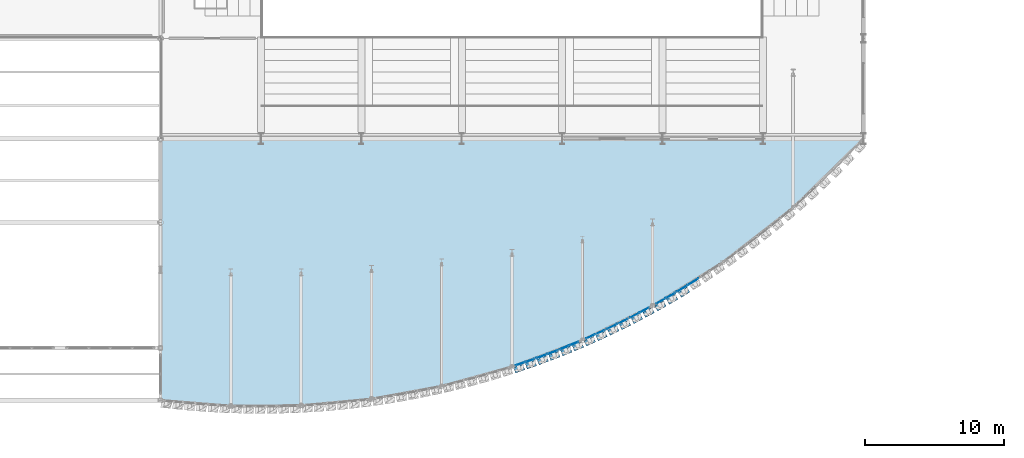
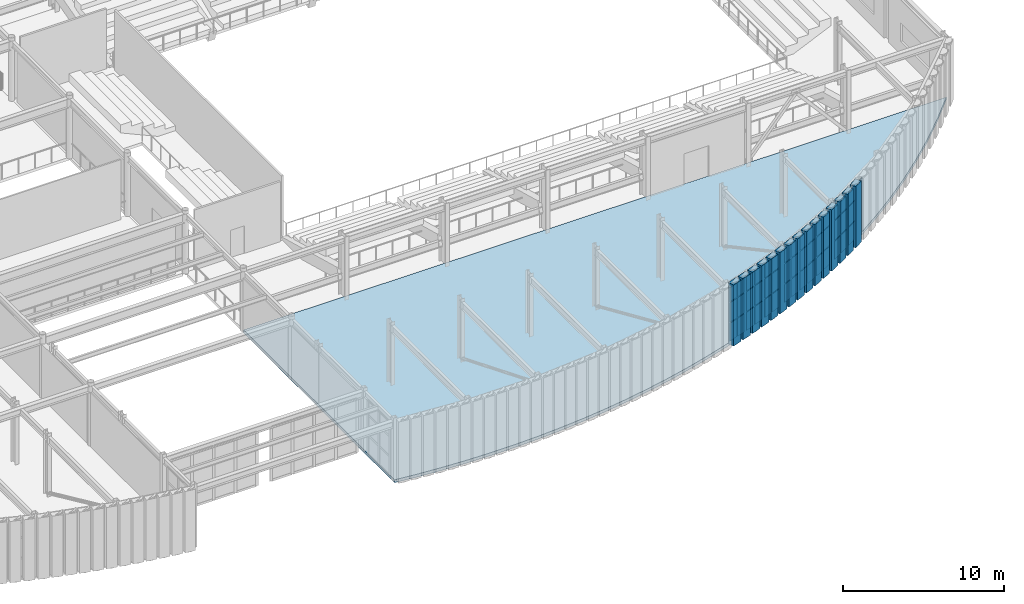
# One storey, part 85 of 121: 63 plates, 1 slab, 8 elements without a shape of their own.
"""IFC4 building model written with IfcOpenShell, lengths in metres."""

from ifc_helpers import new_model, si_unit, direction, frame, origin, origin_2d, place, context, subcontext, project, spatial, polyline, rectangle, outline, extrude, material, layer, layer_set, type_object, element, aggregate, save


model = new_model("IFC4")

# Units and contexts
model_context = context("Model", 3, precision=1e-05, world=origin(), true_north=direction((0.0, 1.0)))
body_context = subcontext(model_context, "Body", "Model", "MODEL_VIEW")
ifc_project = project(units=[si_unit("LENGTHUNIT", "METRE"), si_unit("AREAUNIT", "SQUARE_METRE"), si_unit("VOLUMEUNIT", "CUBIC_METRE"), si_unit("PLANEANGLEUNIT", "RADIAN"), si_unit("MASSUNIT", "GRAM", prefix="KILO")], contexts=[model_context])

# Site, building, storey
site_placement = place(None, origin())
site = spatial("IfcSite", under=ifc_project, at=site_placement, CompositionType="ELEMENT")
building_placement = place(site_placement, origin())
building = spatial("IfcBuilding", under=site, at=building_placement, Name="Solvadek Multi-Sports Hall", CompositionType="ELEMENT")
storey_placement = place(building_placement, frame((0.0, 0.0, 4.800048828125)))
storey = spatial("IfcBuildingStorey", under=building, at=storey_placement, Name="L01", CompositionType="ELEMENT", Elevation=4.800048828125)

# Curtain wall, plates
ifc_material_1 = material(Name="Anodised aluminium", Category="aluminium")
ifc_layer_1 = layer(ifc_material_1, 0.159912109375, Name="Anodised aluminium")
ifc_layer_set_1 = layer_set([ifc_layer_1], Name="Anodised aluminium")
curtain_wall_type_1 = type_object("IfcCurtainWallType", Name="ENV-CW-157X420", PredefinedType="USERDEFINED", material=ifc_layer_set_1)
curtain_wall_1_placement = place(storey_placement, origin())
curtain_wall_1 = element("IfcCurtainWall", 1, at=curtain_wall_1_placement, inside=storey, type_object=curtain_wall_type_1, Name="L01 Crescent Curved Curtain Wall #91", ObjectType="CURTAIN WALL", PredefinedType="USERDEFINED")
ifc_material_2 = material(Name="Tempered laminated low-E glass", Category="glass")
ifc_layer_2 = layer(ifc_material_2, 0.02392578125, Name="Tempered laminated low-E glass")
ifc_layer_set_2 = layer_set([ifc_layer_2], Name="Tempered laminated low-E glass")
plate_type_1 = type_object("IfcPlateType", Name="ENV-CWP-01", PredefinedType="CURTAIN_PANEL", material=ifc_layer_set_2)
plate_1_placement = place(storey_placement, frame((117.232177734375, -8.1787109375, 0.06494140625), z_axis=(0.0, 0.0, 1.0), x_axis=(0.911913174114, 0.410383190297, 0.0)))
plate_1 = element("IfcPlate", 2, at=plate_1_placement, type_object=plate_type_1, Name="CW-17 panel 1.1", PredefinedType="CURTAIN_PANEL", context=body_context, shape_type="SweptSolid", body=[
    extrude(rectangle(XDim=0.6884765625, YDim=0.02392578125, at=origin_2d()), origin(), (0.0, 0.0, 1.0), 1.37255859375),
])
plate_2_placement = place(storey_placement, frame((117.232177734375, -8.1787109375, 1.50244140625), z_axis=(0.0, 0.0, 1.0), x_axis=(0.911913174114, 0.410383190297, 0.0)))
plate_2 = element("IfcPlate", 3, at=plate_2_placement, type_object=plate_type_1, Name="CW-17 panel 1.2", PredefinedType="CURTAIN_PANEL", context=body_context, shape_type="SweptSolid", body=[
    extrude(rectangle(XDim=0.6884765625, YDim=0.02392578125, at=origin_2d()), origin(), (0.0, 0.0, 1.0), 1.489013671875),
])
plate_3_placement = place(storey_placement, frame((117.232177734375, -8.1787109375, 3.056396484375), z_axis=(0.0, 0.0, 1.0), x_axis=(0.911913174114, 0.410383190297, 0.0)))
plate_3 = element("IfcPlate", 4, at=plate_3_placement, type_object=plate_type_1, Name="CW-17 panel 1.3", PredefinedType="CURTAIN_PANEL", context=body_context, shape_type="SweptSolid", body=[
    extrude(rectangle(XDim=0.6884765625, YDim=0.02392578125, at=origin_2d()), origin(), (0.0, 0.0, 1.0), 1.07861328125),
])
plate_4_placement = place(storey_placement, frame((117.91943359375, -7.86962890625, 0.06494140625), z_axis=(0.0, 0.0, 1.0), x_axis=(0.911913174114, 0.410383190297, 0.0)))
plate_4 = element("IfcPlate", 5, at=plate_4_placement, type_object=plate_type_1, Name="CW-17 panel 2.1", PredefinedType="CURTAIN_PANEL", context=body_context, shape_type="SweptSolid", body=[
    extrude(rectangle(XDim=0.6884765625, YDim=0.02392578125, at=origin_2d()), origin(), (0.0, 0.0, 1.0), 1.37255859375),
])
plate_5_placement = place(storey_placement, frame((117.91943359375, -7.86962890625, 1.50244140625), z_axis=(0.0, 0.0, 1.0), x_axis=(0.911913174114, 0.410383190297, 0.0)))
plate_5 = element("IfcPlate", 6, at=plate_5_placement, type_object=plate_type_1, Name="CW-17 panel 2.2", PredefinedType="CURTAIN_PANEL", context=body_context, shape_type="SweptSolid", body=[
    extrude(rectangle(XDim=0.6884765625, YDim=0.02392578125, at=origin_2d()), origin(), (0.0, 0.0, 1.0), 1.489013671875),
])
plate_6_placement = place(storey_placement, frame((117.91943359375, -7.86962890625, 3.056396484375), z_axis=(0.0, 0.0, 1.0), x_axis=(0.911913174114, 0.410383190297, 0.0)))
plate_6 = element("IfcPlate", 7, at=plate_6_placement, type_object=plate_type_1, Name="CW-17 panel 2.3", PredefinedType="CURTAIN_PANEL", context=body_context, shape_type="SweptSolid", body=[
    extrude(rectangle(XDim=0.6884765625, YDim=0.02392578125, at=origin_2d()), origin(), (0.0, 0.0, 1.0), 1.07861328125),
])
aggregate(curtain_wall_1, [plate_1, plate_2, plate_3, plate_4, plate_5, plate_6])

ifc_layer_3 = layer(ifc_material_1, 0.159912109375, Name="Anodised aluminium")
ifc_layer_set_3 = layer_set([ifc_layer_3], Name="Anodised aluminium")
curtain_wall_type_2 = type_object("IfcCurtainWallType", Name="ENV-CW-181X420", PredefinedType="USERDEFINED", material=ifc_layer_set_3)
curtain_wall_2_placement = place(storey_placement, origin())
curtain_wall_2 = element("IfcCurtainWall", 8, at=curtain_wall_2_placement, inside=storey, type_object=curtain_wall_type_2, Name="L01 Crescent Curved Curtain Wall #93", ObjectType="CURTAIN WALL", PredefinedType="USERDEFINED")
ifc_layer_4 = layer(ifc_material_2, 0.028076171875, Name="Tempered laminated low-E glass")
ifc_layer_set_4 = layer_set([ifc_layer_4], Name="Tempered laminated low-E glass")
plate_type_2 = type_object("IfcPlateType", Name="ENV-CWP-02", PredefinedType="CURTAIN_PANEL", material=ifc_layer_set_4)
plate_7_placement = place(storey_placement, frame((118.769287109375, -7.4697265625, 0.06494140625), z_axis=(0.0, 0.0, 1.0), x_axis=(0.898369826672, 0.439239859901, 0.0)))
plate_7 = element("IfcPlate", 9, at=plate_7_placement, type_object=plate_type_2, Name="CW-16 panel 1.1", PredefinedType="CURTAIN_PANEL", context=body_context, shape_type="SweptSolid", body=[
    extrude(rectangle(XDim=0.800048828125, YDim=0.028076171875, at=origin_2d()), origin(), (0.0, 0.0, 1.0), 1.37255859375),
])
plate_8_placement = place(storey_placement, frame((118.769287109375, -7.4697265625, 1.50244140625), z_axis=(0.0, 0.0, 1.0), x_axis=(0.898369826672, 0.439239859901, 0.0)))
plate_8 = element("IfcPlate", 10, at=plate_8_placement, type_object=plate_type_2, Name="CW-16 panel 1.2", PredefinedType="CURTAIN_PANEL", context=body_context, shape_type="SweptSolid", body=[
    extrude(rectangle(XDim=0.800048828125, YDim=0.028076171875, at=origin_2d()), origin(), (0.0, 0.0, 1.0), 1.489013671875),
])
plate_9_placement = place(storey_placement, frame((118.769287109375, -7.4697265625, 3.056396484375), z_axis=(0.0, 0.0, 1.0), x_axis=(0.898369826672, 0.439239859901, 0.0)))
plate_9 = element("IfcPlate", 11, at=plate_9_placement, type_object=plate_type_2, Name="CW-16 panel 1.3", PredefinedType="CURTAIN_PANEL", context=body_context, shape_type="SweptSolid", body=[
    extrude(rectangle(XDim=0.800048828125, YDim=0.028076171875, at=origin_2d()), origin(), (0.0, 0.0, 1.0), 1.07861328125),
])
plate_10_placement = place(storey_placement, frame((119.55078125, -7.087646484375, 0.06494140625), z_axis=(0.0, 0.0, 1.0), x_axis=(0.898369826672, 0.439239859901, 0.0)))
plate_10 = element("IfcPlate", 12, at=plate_10_placement, type_object=plate_type_2, Name="CW-16 panel 2.1", PredefinedType="CURTAIN_PANEL", context=body_context, shape_type="SweptSolid", body=[
    extrude(rectangle(XDim=0.800048828125, YDim=0.028076171875, at=origin_2d()), origin(), (0.0, 0.0, 1.0), 1.37255859375),
])
plate_11_placement = place(storey_placement, frame((119.55078125, -7.087646484375, 1.50244140625), z_axis=(0.0, 0.0, 1.0), x_axis=(0.898369826672, 0.439239859901, 0.0)))
plate_11 = element("IfcPlate", 13, at=plate_11_placement, type_object=plate_type_2, Name="CW-16 panel 2.2", PredefinedType="CURTAIN_PANEL", context=body_context, shape_type="SweptSolid", body=[
    extrude(rectangle(XDim=0.800048828125, YDim=0.028076171875, at=origin_2d()), origin(), (0.0, 0.0, 1.0), 1.489013671875),
])
plate_12_placement = place(storey_placement, frame((119.55078125, -7.087646484375, 3.056396484375), z_axis=(0.0, 0.0, 1.0), x_axis=(0.898369826672, 0.439239859901, 0.0)))
plate_12 = element("IfcPlate", 14, at=plate_12_placement, type_object=plate_type_2, Name="CW-16 panel 2.3", PredefinedType="CURTAIN_PANEL", context=body_context, shape_type="SweptSolid", body=[
    extrude(rectangle(XDim=0.800048828125, YDim=0.028076171875, at=origin_2d()), origin(), (0.0, 0.0, 1.0), 1.07861328125),
])
aggregate(curtain_wall_2, [plate_7, plate_8, plate_9, plate_10, plate_11, plate_12])

ifc_layer_5 = layer(ifc_material_1, 0.159912109375, Name="Anodised aluminium")
ifc_layer_set_5 = layer_set([ifc_layer_5], Name="Anodised aluminium")
curtain_wall_type_3 = type_object("IfcCurtainWallType", Name="ENV-CW-163X420", PredefinedType="USERDEFINED", material=ifc_layer_set_5)
curtain_wall_3_placement = place(storey_placement, origin())
curtain_wall_3 = element("IfcCurtainWall", 15, at=curtain_wall_3_placement, inside=storey, type_object=curtain_wall_type_3, Name="L01 Crescent Curved Curtain Wall #95", ObjectType="CURTAIN WALL", PredefinedType="USERDEFINED")
ifc_layer_6 = layer(ifc_material_2, 0.031982421875, Name="Tempered laminated low-E glass")
ifc_layer_set_6 = layer_set([ifc_layer_6], Name="Tempered laminated low-E glass")
plate_type_3 = type_object("IfcPlateType", Name="ENV-CWP-03", PredefinedType="CURTAIN_PANEL", material=ifc_layer_set_6)
plate_13_placement = place(storey_placement, frame((120.400146484375, -6.656005859375, 0.06005859375), z_axis=(0.0, 0.0, 1.0), x_axis=(0.883659638353, 0.468129943014, 0.0)))
plate_13 = element("IfcPlate", 16, at=plate_13_placement, type_object=plate_type_3, Name="CW-15 panel 1.1", PredefinedType="CURTAIN_PANEL", context=body_context, shape_type="SweptSolid", body=[
    extrude(rectangle(XDim=0.7255859375, YDim=0.031982421875, at=origin_2d()), origin(), (0.0, 0.0, 1.0), 1.3798828125),
])
plate_14_placement = place(storey_placement, frame((120.400146484375, -6.656005859375, 1.5), z_axis=(0.0, 0.0, 1.0), x_axis=(0.883659638353, 0.468129943014, 0.0)))
plate_14 = element("IfcPlate", 17, at=plate_14_placement, type_object=plate_type_3, Name="CW-15 panel 1.2", PredefinedType="CURTAIN_PANEL", context=body_context, shape_type="SweptSolid", body=[
    extrude(rectangle(XDim=0.7255859375, YDim=0.031982421875, at=origin_2d()), origin(), (0.0, 0.0, 1.0), 1.493896484375),
])
plate_15_placement = place(storey_placement, frame((120.400146484375, -6.656005859375, 3.053955078125), z_axis=(0.0, 0.0, 1.0), x_axis=(0.883659638353, 0.468129943014, 0.0)))
plate_15 = element("IfcPlate", 18, at=plate_15_placement, type_object=plate_type_3, Name="CW-15 panel 1.3", PredefinedType="CURTAIN_PANEL", context=body_context, shape_type="SweptSolid", body=[
    extrude(rectangle(XDim=0.7255859375, YDim=0.031982421875, at=origin_2d()), origin(), (0.0, 0.0, 1.0), 1.0859375),
])
plate_16_placement = place(storey_placement, frame((121.09423828125, -6.288330078125, 0.06005859375), z_axis=(0.0, 0.0, 1.0), x_axis=(0.883659638353, 0.468129943014, 0.0)))
plate_16 = element("IfcPlate", 19, at=plate_16_placement, type_object=plate_type_3, Name="CW-15 panel 2.1", PredefinedType="CURTAIN_PANEL", context=body_context, shape_type="SweptSolid", body=[
    extrude(rectangle(XDim=0.7255859375, YDim=0.031982421875, at=origin_2d()), origin(), (0.0, 0.0, 1.0), 1.3798828125),
])
plate_17_placement = place(storey_placement, frame((121.09423828125, -6.288330078125, 1.5), z_axis=(0.0, 0.0, 1.0), x_axis=(0.883659638353, 0.468129943014, 0.0)))
plate_17 = element("IfcPlate", 20, at=plate_17_placement, type_object=plate_type_3, Name="CW-15 panel 2.2", PredefinedType="CURTAIN_PANEL", context=body_context, shape_type="SweptSolid", body=[
    extrude(rectangle(XDim=0.7255859375, YDim=0.031982421875, at=origin_2d()), origin(), (0.0, 0.0, 1.0), 1.493896484375),
])
plate_18_placement = place(storey_placement, frame((121.09423828125, -6.288330078125, 3.053955078125), z_axis=(0.0, 0.0, 1.0), x_axis=(0.883659638353, 0.468129943014, 0.0)))
plate_18 = element("IfcPlate", 21, at=plate_18_placement, type_object=plate_type_3, Name="CW-15 panel 2.3", PredefinedType="CURTAIN_PANEL", context=body_context, shape_type="SweptSolid", body=[
    extrude(rectangle(XDim=0.7255859375, YDim=0.031982421875, at=origin_2d()), origin(), (0.0, 0.0, 1.0), 1.0859375),
])
aggregate(curtain_wall_3, [plate_13, plate_14, plate_15, plate_16, plate_17, plate_18])

ifc_layer_7 = layer(ifc_material_1, 0.159912109375, Name="Anodised aluminium")
ifc_layer_set_7 = layer_set([ifc_layer_7], Name="Anodised aluminium")
curtain_wall_type_4 = type_object("IfcCurtainWallType", Name="ENV-CW-151X420", PredefinedType="USERDEFINED", material=ifc_layer_set_7)
curtain_wall_4_placement = place(storey_placement, origin())
curtain_wall_4 = element("IfcCurtainWall", 22, at=curtain_wall_4_placement, inside=storey, type_object=curtain_wall_type_4, Name="L01 Crescent Curved Curtain Wall #85", ObjectType="CURTAIN WALL", PredefinedType="USERDEFINED")
ifc_layer_8 = layer(ifc_material_2, 0.035888671875, Name="Tempered laminated low-E glass")
ifc_layer_set_8 = layer_set([ifc_layer_8], Name="Tempered laminated low-E glass")
plate_type_4 = type_object("IfcPlateType", Name="ENV-CWP-04", PredefinedType="CURTAIN_PANEL", material=ifc_layer_set_8)
plate_19_placement = place(storey_placement, frame((112.197509765625, -10.14208984375, 0.06494140625), z_axis=(0.0, 0.0, 1.0), x_axis=(0.946149530611, 0.323729927138, 0.0)))
plate_19 = element("IfcPlate", 23, at=plate_19_placement, type_object=plate_type_4, Name="CW-20 panel 1.1", PredefinedType="CURTAIN_PANEL", context=body_context, shape_type="SweptSolid", body=[
    extrude(rectangle(XDim=0.662841796875, YDim=0.035888671875, at=origin_2d()), origin(), (0.0, 0.0, 1.0), 1.37255859375),
])
plate_20_placement = place(storey_placement, frame((112.197509765625, -10.14208984375, 1.50244140625), z_axis=(0.0, 0.0, 1.0), x_axis=(0.946149530611, 0.323729927138, 0.0)))
plate_20 = element("IfcPlate", 24, at=plate_20_placement, type_object=plate_type_4, Name="CW-20 panel 1.2", PredefinedType="CURTAIN_PANEL", context=body_context, shape_type="SweptSolid", body=[
    extrude(rectangle(XDim=0.662841796875, YDim=0.035888671875, at=origin_2d()), origin(), (0.0, 0.0, 1.0), 1.489013671875),
])
plate_21_placement = place(storey_placement, frame((112.197509765625, -10.14208984375, 3.056396484375), z_axis=(0.0, 0.0, 1.0), x_axis=(0.946149530611, 0.323729927138, 0.0)))
plate_21 = element("IfcPlate", 25, at=plate_21_placement, type_object=plate_type_4, Name="CW-20 panel 1.3", PredefinedType="CURTAIN_PANEL", context=body_context, shape_type="SweptSolid", body=[
    extrude(rectangle(XDim=0.662841796875, YDim=0.035888671875, at=origin_2d()), origin(), (0.0, 0.0, 1.0), 1.07861328125),
])
plate_22_placement = place(storey_placement, frame((112.88134765625, -9.908203125, 0.06494140625), z_axis=(0.0, 0.0, 1.0), x_axis=(0.946149530611, 0.323729927138, 0.0)))
plate_22 = element("IfcPlate", 26, at=plate_22_placement, type_object=plate_type_4, Name="CW-20 panel 2.1", PredefinedType="CURTAIN_PANEL", context=body_context, shape_type="SweptSolid", body=[
    extrude(rectangle(XDim=0.662841796875, YDim=0.035888671875, at=origin_2d()), origin(), (0.0, 0.0, 1.0), 1.37255859375),
])
plate_23_placement = place(storey_placement, frame((112.88134765625, -9.908203125, 1.50244140625), z_axis=(0.0, 0.0, 1.0), x_axis=(0.946149530611, 0.323729927138, 0.0)))
plate_23 = element("IfcPlate", 27, at=plate_23_placement, type_object=plate_type_4, Name="CW-20 panel 2.2", PredefinedType="CURTAIN_PANEL", context=body_context, shape_type="SweptSolid", body=[
    extrude(rectangle(XDim=0.662841796875, YDim=0.035888671875, at=origin_2d()), origin(), (0.0, 0.0, 1.0), 1.489013671875),
])
plate_24_placement = place(storey_placement, frame((112.88134765625, -9.908203125, 3.056396484375), z_axis=(0.0, 0.0, 1.0), x_axis=(0.946149530611, 0.323729927138, 0.0)))
plate_24 = element("IfcPlate", 28, at=plate_24_placement, type_object=plate_type_4, Name="CW-20 panel 2.3", PredefinedType="CURTAIN_PANEL", context=body_context, shape_type="SweptSolid", body=[
    extrude(rectangle(XDim=0.662841796875, YDim=0.035888671875, at=origin_2d()), origin(), (0.0, 0.0, 1.0), 1.07861328125),
])
aggregate(curtain_wall_4, [plate_19, plate_20, plate_21, plate_22, plate_23, plate_24])

ifc_layer_9 = layer(ifc_material_1, 0.159912109375, Name="Anodised aluminium")
ifc_layer_set_9 = layer_set([ifc_layer_9], Name="Anodised aluminium")
curtain_wall_type_5 = type_object("IfcCurtainWallType", Name="ENV-CW-167X420", PredefinedType="USERDEFINED", material=ifc_layer_set_9)
curtain_wall_5_placement = place(storey_placement, origin())
curtain_wall_5 = element("IfcCurtainWall", 29, at=curtain_wall_5_placement, inside=storey, type_object=curtain_wall_type_5, Name="L01 Crescent Curved Curtain Wall #97", ObjectType="CURTAIN WALL", PredefinedType="USERDEFINED")
plate_25_placement = place(storey_placement, frame((122.2626953125, -5.644287109375, 0.06005859375), z_axis=(0.0, 0.0, 1.0), x_axis=(0.867755149937, 0.496991951402, 0.0)))
plate_25 = element("IfcPlate", 30, at=plate_25_placement, type_object=plate_type_4, Name="CW-30 panel 1.1", PredefinedType="CURTAIN_PANEL", context=body_context, shape_type="SweptSolid", body=[
    extrude(rectangle(XDim=0.742919921875, YDim=0.035888671875, at=origin_2d()), origin(), (0.0, 0.0, 1.0), 1.3798828125),
])
plate_26_placement = place(storey_placement, frame((122.2626953125, -5.644287109375, 1.5), z_axis=(0.0, 0.0, 1.0), x_axis=(0.867755149937, 0.496991951402, 0.0)))
plate_26 = element("IfcPlate", 31, at=plate_26_placement, type_object=plate_type_4, Name="CW-30 panel 1.2", PredefinedType="CURTAIN_PANEL", context=body_context, shape_type="SweptSolid", body=[
    extrude(rectangle(XDim=0.742919921875, YDim=0.035888671875, at=origin_2d()), origin(), (0.0, 0.0, 1.0), 1.493896484375),
])
plate_27_placement = place(storey_placement, frame((122.2626953125, -5.644287109375, 3.053955078125), z_axis=(0.0, 0.0, 1.0), x_axis=(0.867755149937, 0.496991951402, 0.0)))
plate_27 = element("IfcPlate", 32, at=plate_27_placement, type_object=plate_type_4, Name="CW-30 panel 1.3", PredefinedType="CURTAIN_PANEL", context=body_context, shape_type="SweptSolid", body=[
    extrude(rectangle(XDim=0.742919921875, YDim=0.035888671875, at=origin_2d()), origin(), (0.0, 0.0, 1.0), 1.0859375),
])
plate_28_placement = place(storey_placement, frame((122.95947265625, -5.2451171875, 0.06005859375), z_axis=(0.0, 0.0, 1.0), x_axis=(0.867755149937, 0.496991951402, 0.0)))
plate_28 = element("IfcPlate", 33, at=plate_28_placement, type_object=plate_type_4, Name="CW-30 panel 2.1", PredefinedType="CURTAIN_PANEL", context=body_context, shape_type="SweptSolid", body=[
    extrude(rectangle(XDim=0.742919921875, YDim=0.035888671875, at=origin_2d()), origin(), (0.0, 0.0, 1.0), 1.3798828125),
])
plate_29_placement = place(storey_placement, frame((122.95947265625, -5.2451171875, 1.5), z_axis=(0.0, 0.0, 1.0), x_axis=(0.867755149937, 0.496991951402, 0.0)))
plate_29 = element("IfcPlate", 34, at=plate_29_placement, type_object=plate_type_4, Name="CW-30 panel 2.2", PredefinedType="CURTAIN_PANEL", context=body_context, shape_type="SweptSolid", body=[
    extrude(rectangle(XDim=0.742919921875, YDim=0.035888671875, at=origin_2d()), origin(), (0.0, 0.0, 1.0), 1.493896484375),
])
plate_30_placement = place(storey_placement, frame((122.95947265625, -5.2451171875, 3.053955078125), z_axis=(0.0, 0.0, 1.0), x_axis=(0.867755149937, 0.496991951402, 0.0)))
plate_30 = element("IfcPlate", 35, at=plate_30_placement, type_object=plate_type_4, Name="CW-30 panel 2.3", PredefinedType="CURTAIN_PANEL", context=body_context, shape_type="SweptSolid", body=[
    extrude(rectangle(XDim=0.742919921875, YDim=0.035888671875, at=origin_2d()), origin(), (0.0, 0.0, 1.0), 1.0859375),
])
aggregate(curtain_wall_5, [plate_25, plate_26, plate_27, plate_28, plate_29, plate_30])

ifc_layer_10 = layer(ifc_material_1, 0.159912109375, Name="Anodised aluminium")
ifc_layer_set_10 = layer_set([ifc_layer_10], Name="Anodised aluminium")
curtain_wall_type_6 = type_object("IfcCurtainWallType", Name="ENV-CW-174X420", PredefinedType="USERDEFINED", material=ifc_layer_set_10)
curtain_wall_6_placement = place(storey_placement, origin())
curtain_wall_6 = element("IfcCurtainWall", 36, at=curtain_wall_6_placement, inside=storey, type_object=curtain_wall_type_6, Name="L01 Crescent Curved Curtain Wall #87", ObjectType="CURTAIN WALL", PredefinedType="USERDEFINED")
ifc_layer_11 = layer(ifc_material_2, 0.0419921875, Name="Tempered laminated low-E glass")
ifc_layer_set_11 = layer_set([ifc_layer_11], Name="Tempered laminated low-E glass")
plate_type_5 = type_object("IfcPlateType", Name="ENV-CWP-05", PredefinedType="CURTAIN_PANEL", material=ifc_layer_set_11)
plate_31_placement = place(storey_placement, frame((113.72802734375, -9.602783203125, 0.06005859375), z_axis=(0.0, 0.0, 1.0), x_axis=(0.935764321429, 0.352626055108, 0.0)))
plate_31 = element("IfcPlate", 37, at=plate_31_placement, type_object=plate_type_5, Name="CW-12 panel 1.1", PredefinedType="CURTAIN_PANEL", context=body_context, shape_type="SweptSolid", body=[
    extrude(rectangle(XDim=0.777587890625, YDim=0.0419921875, at=origin_2d()), origin(), (0.0, 0.0, 1.0), 1.3798828125),
])
plate_32_placement = place(storey_placement, frame((113.72802734375, -9.602783203125, 1.5), z_axis=(0.0, 0.0, 1.0), x_axis=(0.935764321429, 0.352626055108, 0.0)))
plate_32 = element("IfcPlate", 38, at=plate_32_placement, type_object=plate_type_5, Name="CW-12 panel 1.2", PredefinedType="CURTAIN_PANEL", context=body_context, shape_type="SweptSolid", body=[
    extrude(rectangle(XDim=0.777587890625, YDim=0.0419921875, at=origin_2d()), origin(), (0.0, 0.0, 1.0), 1.493896484375),
])
plate_33_placement = place(storey_placement, frame((113.72802734375, -9.602783203125, 3.053955078125), z_axis=(0.0, 0.0, 1.0), x_axis=(0.935764321429, 0.352626055108, 0.0)))
plate_33 = element("IfcPlate", 39, at=plate_33_placement, type_object=plate_type_5, Name="CW-12 panel 1.3", PredefinedType="CURTAIN_PANEL", context=body_context, shape_type="SweptSolid", body=[
    extrude(rectangle(XDim=0.777587890625, YDim=0.0419921875, at=origin_2d()), origin(), (0.0, 0.0, 1.0), 1.0859375),
])
plate_34_placement = place(storey_placement, frame((114.511962890625, -9.307373046875, 0.06005859375), z_axis=(0.0, 0.0, 1.0), x_axis=(0.935764321429, 0.352626055108, 0.0)))
plate_34 = element("IfcPlate", 40, at=plate_34_placement, type_object=plate_type_5, Name="CW-12 panel 2.1", PredefinedType="CURTAIN_PANEL", context=body_context, shape_type="SweptSolid", body=[
    extrude(rectangle(XDim=0.777587890625, YDim=0.0419921875, at=origin_2d()), origin(), (0.0, 0.0, 1.0), 1.3798828125),
])
plate_35_placement = place(storey_placement, frame((114.511962890625, -9.307373046875, 1.5), z_axis=(0.0, 0.0, 1.0), x_axis=(0.935764321429, 0.352626055108, 0.0)))
plate_35 = element("IfcPlate", 41, at=plate_35_placement, type_object=plate_type_5, Name="CW-12 panel 2.2", PredefinedType="CURTAIN_PANEL", context=body_context, shape_type="SweptSolid", body=[
    extrude(rectangle(XDim=0.777587890625, YDim=0.0419921875, at=origin_2d()), origin(), (0.0, 0.0, 1.0), 1.493896484375),
])
plate_36_placement = place(storey_placement, frame((114.511962890625, -9.307373046875, 3.053955078125), z_axis=(0.0, 0.0, 1.0), x_axis=(0.935764321429, 0.352626055108, 0.0)))
plate_36 = element("IfcPlate", 42, at=plate_36_placement, type_object=plate_type_5, Name="CW-12 panel 2.3", PredefinedType="CURTAIN_PANEL", context=body_context, shape_type="SweptSolid", body=[
    extrude(rectangle(XDim=0.777587890625, YDim=0.0419921875, at=origin_2d()), origin(), (0.0, 0.0, 1.0), 1.0859375),
])
aggregate(curtain_wall_6, [plate_31, plate_32, plate_33, plate_34, plate_35, plate_36])

ifc_layer_12 = layer(ifc_material_1, 0.159912109375, Name="Anodised aluminium")
ifc_layer_set_12 = layer_set([ifc_layer_12], Name="Anodised aluminium")
curtain_wall_type_7 = type_object("IfcCurtainWallType", Name="ENV-CW-192X420", PredefinedType="USERDEFINED", material=ifc_layer_set_12)
curtain_wall_7_placement = place(storey_placement, origin())
curtain_wall_7 = element("IfcCurtainWall", 43, at=curtain_wall_7_placement, inside=storey, type_object=curtain_wall_type_7, Name="L01 Crescent Curved Curtain Wall #99", ObjectType="CURTAIN WALL", PredefinedType="USERDEFINED")
plate_37_placement = place(storey_placement, frame((123.806640625, -4.73974609375, 0.06494140625), z_axis=(0.0, 0.0, 1.0), x_axis=(0.850598815736, 0.525815228639, 0.0)))
plate_37 = element("IfcPlate", 44, at=plate_37_placement, type_object=plate_type_5, Name="CW-31 panel 1.1", PredefinedType="CURTAIN_PANEL", context=body_context, shape_type="SweptSolid", body=[
    extrude(rectangle(XDim=0.860107421875, YDim=0.0419921875, at=origin_2d()), origin(), (0.0, 0.0, 1.0), 1.37255859375),
])
plate_38_placement = place(storey_placement, frame((123.806640625, -4.73974609375, 1.50244140625), z_axis=(0.0, 0.0, 1.0), x_axis=(0.850598815736, 0.525815228639, 0.0)))
plate_38 = element("IfcPlate", 45, at=plate_38_placement, type_object=plate_type_5, Name="CW-31 panel 1.2", PredefinedType="CURTAIN_PANEL", context=body_context, shape_type="SweptSolid", body=[
    extrude(rectangle(XDim=0.860107421875, YDim=0.0419921875, at=origin_2d()), origin(), (0.0, 0.0, 1.0), 1.489013671875),
])
plate_39_placement = place(storey_placement, frame((123.806640625, -4.73974609375, 3.056396484375), z_axis=(0.0, 0.0, 1.0), x_axis=(0.850598815736, 0.525815228639, 0.0)))
plate_39 = element("IfcPlate", 46, at=plate_39_placement, type_object=plate_type_5, Name="CW-31 panel 1.3", PredefinedType="CURTAIN_PANEL", context=body_context, shape_type="SweptSolid", body=[
    extrude(rectangle(XDim=0.860107421875, YDim=0.0419921875, at=origin_2d()), origin(), (0.0, 0.0, 1.0), 1.07861328125),
])
plate_40_placement = place(storey_placement, frame((124.593505859375, -4.253173828125, 0.06494140625), z_axis=(0.0, 0.0, 1.0), x_axis=(0.850598815736, 0.525815228639, 0.0)))
plate_40 = element("IfcPlate", 47, at=plate_40_placement, type_object=plate_type_5, Name="CW-31 panel 2.1", PredefinedType="CURTAIN_PANEL", context=body_context, shape_type="SweptSolid", body=[
    extrude(rectangle(XDim=0.860107421875, YDim=0.0419921875, at=origin_2d()), origin(), (0.0, 0.0, 1.0), 1.37255859375),
])
plate_41_placement = place(storey_placement, frame((124.593505859375, -4.253173828125, 1.50244140625), z_axis=(0.0, 0.0, 1.0), x_axis=(0.850598815736, 0.525815228639, 0.0)))
plate_41 = element("IfcPlate", 48, at=plate_41_placement, type_object=plate_type_5, Name="CW-31 panel 2.2", PredefinedType="CURTAIN_PANEL", context=body_context, shape_type="SweptSolid", body=[
    extrude(rectangle(XDim=0.860107421875, YDim=0.0419921875, at=origin_2d()), origin(), (0.0, 0.0, 1.0), 1.489013671875),
])
plate_42_placement = place(storey_placement, frame((124.593505859375, -4.253173828125, 3.056396484375), z_axis=(0.0, 0.0, 1.0), x_axis=(0.850598815736, 0.525815228639, 0.0)))
plate_42 = element("IfcPlate", 49, at=plate_42_placement, type_object=plate_type_5, Name="CW-31 panel 2.3", PredefinedType="CURTAIN_PANEL", context=body_context, shape_type="SweptSolid", body=[
    extrude(rectangle(XDim=0.860107421875, YDim=0.0419921875, at=origin_2d()), origin(), (0.0, 0.0, 1.0), 1.07861328125),
])
aggregate(curtain_wall_7, [plate_37, plate_38, plate_39, plate_40, plate_41, plate_42])

ifc_layer_13 = layer(ifc_material_1, 0.159912109375, Name="Anodised aluminium")
ifc_layer_set_13 = layer_set([ifc_layer_13], Name="Anodised aluminium")
curtain_wall_type_8 = type_object("IfcCurtainWallType", Name="ENV-CW-155X420", PredefinedType="USERDEFINED", material=ifc_layer_set_13)
curtain_wall_8_placement = place(storey_placement, origin())
curtain_wall_8 = element("IfcCurtainWall", 50, at=curtain_wall_8_placement, inside=storey, type_object=curtain_wall_type_8, Name="L01 Crescent Curved Curtain Wall #89", ObjectType="CURTAIN WALL", PredefinedType="USERDEFINED")
ifc_layer_14 = layer(ifc_material_2, 0.048095703125, Name="Tempered laminated low-E glass")
ifc_layer_set_14 = layer_set([ifc_layer_14], Name="Tempered laminated low-E glass")
plate_type_6 = type_object("IfcPlateType", Name="ENV-CWP-06", PredefinedType="CURTAIN_PANEL", material=ifc_layer_set_14)
plate_43_placement = place(storey_placement, frame((115.3603515625, -8.973388671875, 0.06005859375), z_axis=(0.0, 0.0, 1.0), x_axis=(0.924379359337, 0.381474507709, 0.0)))
plate_43 = element("IfcPlate", 51, at=plate_43_placement, type_object=plate_type_6, Name="CW-18 panel 1.1", PredefinedType="CURTAIN_PANEL", context=body_context, shape_type="SweptSolid", body=[
    extrude(rectangle(XDim=0.67626953125, YDim=0.048095703125, at=origin_2d()), origin(), (0.0, 0.0, 1.0), 1.3798828125),
])
plate_44_placement = place(storey_placement, frame((115.3603515625, -8.973388671875, 1.5), z_axis=(0.0, 0.0, 1.0), x_axis=(0.924379359337, 0.381474507709, 0.0)))
plate_44 = element("IfcPlate", 52, at=plate_44_placement, type_object=plate_type_6, Name="CW-18 panel 1.2", PredefinedType="CURTAIN_PANEL", context=body_context, shape_type="SweptSolid", body=[
    extrude(rectangle(XDim=0.67626953125, YDim=0.048095703125, at=origin_2d()), origin(), (0.0, 0.0, 1.0), 1.493896484375),
])
plate_45_placement = place(storey_placement, frame((115.3603515625, -8.973388671875, 3.053955078125), z_axis=(0.0, 0.0, 1.0), x_axis=(0.924379359337, 0.381474507709, 0.0)))
plate_45 = element("IfcPlate", 53, at=plate_45_placement, type_object=plate_type_6, Name="CW-18 panel 1.3", PredefinedType="CURTAIN_PANEL", context=body_context, shape_type="SweptSolid", body=[
    extrude(rectangle(XDim=0.67626953125, YDim=0.048095703125, at=origin_2d()), origin(), (0.0, 0.0, 1.0), 1.0859375),
])
plate_46_placement = place(storey_placement, frame((116.04541015625, -8.690673828125, 0.06005859375), z_axis=(0.0, 0.0, 1.0), x_axis=(0.924379359337, 0.381474507709, 0.0)))
plate_46 = element("IfcPlate", 54, at=plate_46_placement, type_object=plate_type_6, Name="CW-18 panel 2.1", PredefinedType="CURTAIN_PANEL", context=body_context, shape_type="SweptSolid", body=[
    extrude(rectangle(XDim=0.67626953125, YDim=0.048095703125, at=origin_2d()), origin(), (0.0, 0.0, 1.0), 1.3798828125),
])
plate_47_placement = place(storey_placement, frame((116.04541015625, -8.690673828125, 1.5), z_axis=(0.0, 0.0, 1.0), x_axis=(0.924379359337, 0.381474507709, 0.0)))
plate_47 = element("IfcPlate", 55, at=plate_47_placement, type_object=plate_type_6, Name="CW-18 panel 2.2", PredefinedType="CURTAIN_PANEL", context=body_context, shape_type="SweptSolid", body=[
    extrude(rectangle(XDim=0.67626953125, YDim=0.048095703125, at=origin_2d()), origin(), (0.0, 0.0, 1.0), 1.493896484375),
])
plate_48_placement = place(storey_placement, frame((116.04541015625, -8.690673828125, 3.053955078125), z_axis=(0.0, 0.0, 1.0), x_axis=(0.924379359337, 0.381474507709, 0.0)))
plate_48 = element("IfcPlate", 56, at=plate_48_placement, type_object=plate_type_6, Name="CW-18 panel 2.3", PredefinedType="CURTAIN_PANEL", context=body_context, shape_type="SweptSolid", body=[
    extrude(rectangle(XDim=0.67626953125, YDim=0.048095703125, at=origin_2d()), origin(), (0.0, 0.0, 1.0), 1.0859375),
])
aggregate(curtain_wall_8, [plate_43, plate_44, plate_45, plate_46, plate_47, plate_48])

# Plates
ifc_material_3 = material(Name="Perforated champagne-bronze anodised aluminium", Category="aluminium")
ifc_layer_15 = layer(ifc_material_3, 0.419921875, Name="Perforated champagne-bronze anodised aluminium")
ifc_layer_set_15 = layer_set([ifc_layer_15], Name="Perforated champagne-bronze anodised aluminium")
plate_type_7 = type_object("IfcPlateType", Name="ENV-FLT-440", PredefinedType="USERDEFINED", material=ifc_layer_set_15)
for number, where, z_axis, x_axis, name in (
    (57, (112.1171875, -10.486572265625, 0.0400390625), (0.0, 0.0, 1.0), (0.946153090794, 0.323719521778, 0.0), "L01 Half-Cylinder Colonnade Flute #169"),
    (58, (112.95703125, -10.19921875, 0.0400390625), (0.0, 0.0, 1.0), (0.946153090794, 0.323719521778, 0.0), "L01 Half-Cylinder Colonnade Flute #170"),
    (59, (113.805908203125, -9.89404296875, 0.0400390625), (0.0, 0.0, 1.0), (0.935760271469, 0.352636802305, 0.0), "L01 Half-Cylinder Colonnade Flute #173"),
    (60, (114.645751953125, -9.57763671875, 0.0400390625), (0.0, 0.0, 1.0), (0.935760271469, 0.352636802305, 0.0), "L01 Half-Cylinder Colonnade Flute #174"),
    (61, (115.494384765625, -9.24267578125, 0.0400390625), (0.0, 0.0, 1.0), (0.924380401082, 0.381471983369, 0.0), "L01 Half-Cylinder Colonnade Flute #177"),
    (62, (116.33447265625, -8.89599609375, 0.0400390625), (0.0, 0.0, 1.0), (0.924380401082, 0.381471983369, 0.0), "L01 Half-Cylinder Colonnade Flute #178"),
    (63, (117.18310546875, -8.52978515625, 0.0400390625), (0.0, 0.0, 1.0), (0.911921505175, 0.41036467733, 0.0), "L01 Half-Cylinder Colonnade Flute #181"),
    (64, (118.023193359375, -8.15185546875, 0.0400390625), (0.0, 0.0, 1.0), (0.911921505175, 0.41036467733, 0.0), "L01 Half-Cylinder Colonnade Flute #182"),
    (65, (118.871826171875, -7.75341796875, 0.0400390625), (0.0, 0.0, 1.0), (0.898370293848, 0.439238904392, 0.0), "L01 Half-Cylinder Colonnade Flute #185"),
    (66, (119.711669921875, -7.3427734375, 0.0400390625), (0.0, 0.0, 1.0), (0.898370293848, 0.439238904392, 0.0), "L01 Half-Cylinder Colonnade Flute #186"),
    (67, (120.560546875, -6.91064453125, 0.0400390625), (0.0, 0.0, 1.0), (0.883681698244, 0.468088299565, 0.0), "L01 Half-Cylinder Colonnade Flute #189"),
    (68, (121.400390625, -6.465576171875, 0.0400390625), (0.0, 0.0, 1.0), (0.883681698244, 0.468088299565, 0.0), "L01 Half-Cylinder Colonnade Flute #190"),
    (69, (122.2490234375, -5.997802734375, 0.0400390625), (0.0, 0.0, 1.0), (0.867753217729, 0.496995325049, 0.0), "L01 Half-Cylinder Colonnade Flute #193"),
    (70, (123.089111328125, -5.5166015625, 0.0400390625), (0.0, 0.0, 1.0), (0.867753217729, 0.496995325049, 0.0), "L01 Half-Cylinder Colonnade Flute #194"),
    (71, (123.937744140625, -5.01123046875, 0.0400390625), (0.0, 0.0, 1.0), (0.850582217599, 0.525842078103, 0.0), "L01 Half-Cylinder Colonnade Flute #197"),
):
    element("IfcPlate", number, at=place(storey_placement, frame(where, z_axis=z_axis, x_axis=x_axis)), inside=storey, type_object=plate_type_7, Name=name, ObjectType="FLANGED_SHEET", PredefinedType="USERDEFINED", context=body_context, shape_type="SweptSolid", body=[
        extrude(rectangle(XDim=0.719970703125, YDim=0.419921875, at=origin_2d()), origin(), (0.0, 0.0, 1.0), 4.64990234375),
    ])

# Slab
ifc_material_4 = material(Name="Concrete M35", Category="concrete")
ifc_layer_16 = layer(ifc_material_4, 0.219970703125, Name="Concrete M35")
ifc_layer_set_16 = layer_set([ifc_layer_16], Name="Concrete M35")
slab_type = type_object("IfcSlabType", Name="STR-SLB-FLR220", PredefinedType="FLOOR", material=ifc_layer_set_16)
slab_placement = place(storey_placement, frame((0.0, 0.0, -0.219970703125)))
element("IfcSlab", 72, at=slab_placement, inside=storey, type_object=slab_type, Name="L01 East Crescent Curved Slab #23", PredefinedType="FLOOR", context=body_context, shape_type="SweptSolid", body=[
    extrude(outline(polyline([(136.800048828125, 6.0), (135.1201171875, 4.216064453125), (133.43994140625, 2.573486328125), (131.760009765625, 1.05615234375), (130.080078125, -0.34814453125), (128.39990234375, -1.64990234375), (126.719970703125, -2.857177734375), (125.0400390625, -3.977294921875), (123.360107421875, -5.015869140625), (121.679931640625, -5.97802734375), (120.0, -6.867919921875), (118.320068359375, -7.689208984375), (116.639892578125, -8.4453125), (114.9599609375, -9.138671875), (113.280029296875, -9.771728515625), (111.60009765625, -10.346435546875), (109.919921875, -10.864990234375), (108.239990234375, -11.32861328125), (106.56005859375, -11.73876953125), (104.8798828125, -12.096435546875), (103.199951171875, -12.40283203125), (101.52001953125, -12.65869140625), (99.840087890625, -12.864501953125), (98.159912109375, -13.02099609375), (96.47998046875, -13.128662109375), (94.800048828125, -13.1875), (93.1201171875, -13.197998046875), (91.43994140625, -13.159912109375), (89.760009765625, -13.0732421875), (88.080078125, -12.9375), (86.39990234375, -12.7529296875), (86.39990234375, 6.0), (136.800048828125, 6.0)])), origin(), (0.0, 0.0, 1.0), 0.219970703125),
])

save(model, "model.ifc")
